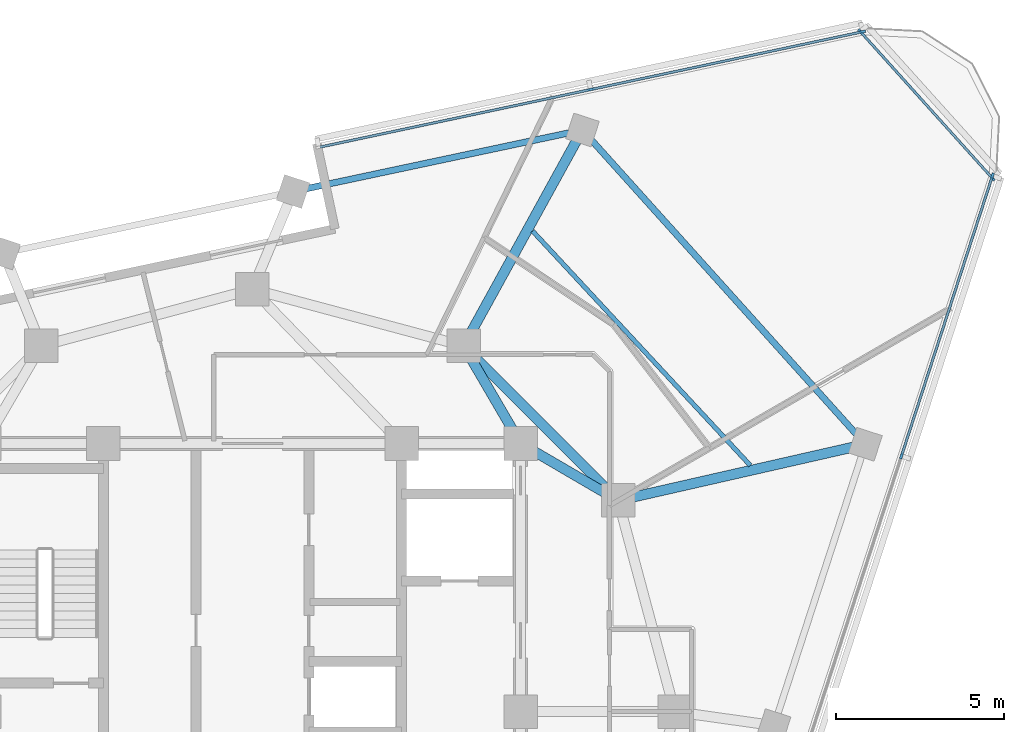
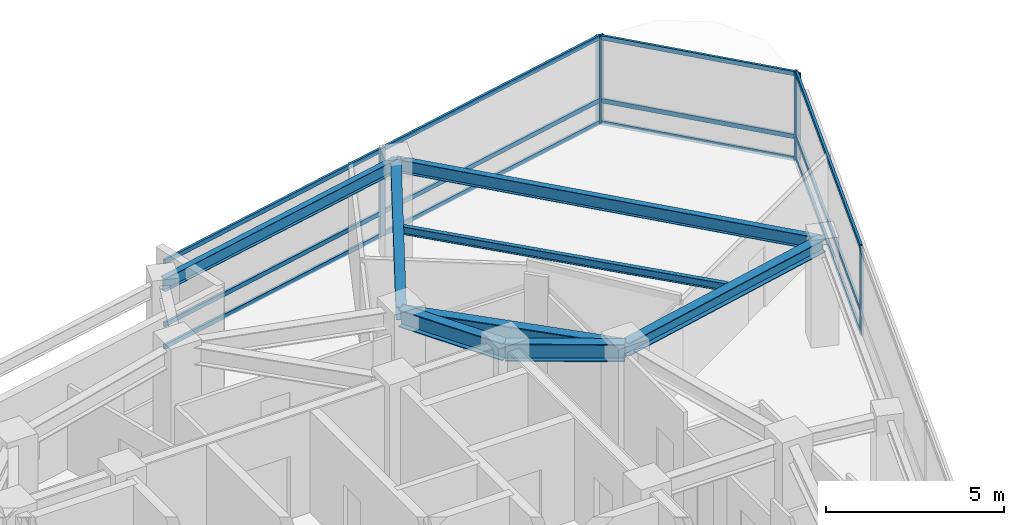
# One storey, part 6 of 15: 18 members, 8 beams, 3 elements without a shape of their own.
"""IFC4 building model written with IfcOpenShell, lengths in metres."""

from ifc_helpers import new_model, si_unit, direction, frame, origin, origin_2d, place, context, subcontext, project, spatial, rectangle, i_section, extrude, material, layer, layer_set, material_profile, profile_set, type_object, element, aggregate, save


model = new_model("IFC4")

# Units and contexts
model_context = context("Model", 3, precision=1e-05, world=origin(), true_north=direction((0.0, 1.0)))
body_context = subcontext(model_context, "Body", "Model", "MODEL_VIEW")
ifc_project = project(units=[si_unit("LENGTHUNIT", "METRE"), si_unit("AREAUNIT", "SQUARE_METRE"), si_unit("VOLUMEUNIT", "CUBIC_METRE"), si_unit("PLANEANGLEUNIT", "RADIAN"), si_unit("MASSUNIT", "GRAM", prefix="KILO")], contexts=[model_context])

# Site, building, storey
site_placement = place(None, origin())
site = spatial("IfcSite", under=ifc_project, at=site_placement, CompositionType="ELEMENT")
building_placement = place(site_placement, origin())
building = spatial("IfcBuilding", under=site, at=building_placement, Name="Terralouvre Media Tower", CompositionType="ELEMENT")
storey_placement = place(building_placement, frame((0.0, 0.0, 305.39990234375)))
storey = spatial("IfcBuildingStorey", under=building, at=storey_placement, Name="L79", CompositionType="ELEMENT", Elevation=305.39990234375)

# Beam
ifc_material_1 = material(Name="Structural steel S355J2", Category="steel")
ifc_material_profile_1 = material_profile(ifc_material_1, i_section(OverallWidth=0.135009765625, OverallDepth=0.27001953125, WebThickness=0.006591796875, FlangeThickness=0.01025390625, at=origin_2d()), Name="IPE 270")
ifc_profile_set_1 = profile_set([ifc_material_profile_1], Name="Structural steel S355J2")
beam_type_1 = type_object("IfcBeamType", Name="Composite Floor Joist J-IPE270 (IPE 270)", PredefinedType="JOIST", material=ifc_profile_set_1)
beam_1_placement = place(storey_placement, frame((14.85107421875, 7.34716796875, 3.364990234375), z_axis=(-0.680613949102, 0.732642240311, 0.0), x_axis=(-0.732642240311, -0.680613949102, 0.0)))
element("IfcBeam", 1, at=beam_1_placement, inside=storey, type_object=beam_type_1, Name="L79 Framing Beam JT-L79-04", PredefinedType="JOIST", context=body_context, shape_type="SweptSolid", body=[
    extrude(i_section(OverallWidth=0.135009765625, OverallDepth=0.27001953125, WebThickness=0.006591796875, FlangeThickness=0.01025390625, at=origin_2d()), origin(), (0.0, 0.0, 1.0), 9.54443359375),
])

# Curtain wall, members
ifc_material_2 = material(Name="Low-iron laminated double glazing with solar-control coating", Category="glass")
ifc_layer_1 = layer(ifc_material_2, 0.1650390625, Name="Faceted Glass-Point Crown Curtain Wall CW-06")
ifc_layer_set_1 = layer_set([ifc_layer_1], Name="Low-iron laminated double glazing with solar-control coating")
curtain_wall_type_1 = type_object("IfcCurtainWallType", Name="Faceted Glass-Point Crown Curtain Wall CW-06", PredefinedType="NOTDEFINED", material=ifc_layer_set_1)
curtain_wall_1_placement = place(storey_placement, origin())
curtain_wall_1 = element("IfcCurtainWall", 2, at=curtain_wall_1_placement, inside=storey, type_object=curtain_wall_type_1, Name="L79 Facade Curtain Wall F0", PredefinedType="NOTDEFINED")
ifc_material_3 = material(Name="Anodised extruded aluminium 6063-T6", Category="aluminium")
ifc_material_profile_2 = material_profile(ifc_material_3, rectangle(XDim=0.074951171875, YDim=0.14990234375, at=origin_2d()), Name="ALU 75x150")
ifc_profile_set_2 = profile_set([ifc_material_profile_2], Name="Anodised extruded aluminium 6063-T6")
member_type_1 = type_object("IfcMemberType", Name="Curtain-Wall Horizontal Transom TR-150", PredefinedType="USERDEFINED", material=ifc_profile_set_2)
member_1_placement = place(storey_placement, frame((19.372314453125, 7.662109375, 0.03759765625), z_axis=(0.309004958377, 0.951060426944, 0.0), x_axis=(-0.951060426944, 0.309004958377, 0.0)))
member_1 = element("IfcMember", 3, at=member_1_placement, type_object=member_type_1, Name="CW-06 transom 5.1", ObjectType="TRANSOM", PredefinedType="USERDEFINED", context=body_context, shape_type="SweptSolid", body=[
    extrude(rectangle(XDim=0.074951171875, YDim=0.14990234375, at=origin_2d()), origin(), (0.0, 0.0, 1.0), 8.71142578125),
])
member_2_placement = place(storey_placement, frame((19.372314453125, 7.662109375, 0.800048828125), z_axis=(0.309004958377, 0.951060426944, 0.0), x_axis=(-0.951060426944, 0.309004958377, 0.0)))
member_2 = element("IfcMember", 4, at=member_2_placement, type_object=member_type_1, Name="CW-06 transom 5.2", ObjectType="TRANSOM", PredefinedType="USERDEFINED", context=body_context, shape_type="SweptSolid", body=[
    extrude(rectangle(XDim=0.074951171875, YDim=0.14990234375, at=origin_2d()), origin(), (0.0, 0.0, 1.0), 8.71142578125),
])
member_3_placement = place(storey_placement, frame((19.372314453125, 7.662109375, 2.962646484375), z_axis=(0.309004958377, 0.951060426944, 0.0), x_axis=(-0.951060426944, 0.309004958377, 0.0)))
member_3 = element("IfcMember", 5, at=member_3_placement, type_object=member_type_1, Name="CW-06 transom 5.3", ObjectType="TRANSOM", PredefinedType="USERDEFINED", context=body_context, shape_type="SweptSolid", body=[
    extrude(rectangle(XDim=0.074951171875, YDim=0.14990234375, at=origin_2d()), origin(), (0.0, 0.0, 1.0), 8.71142578125),
])

curtain_wall_2_placement = place(storey_placement, origin())
curtain_wall_2 = element("IfcCurtainWall", 6, at=curtain_wall_2_placement, inside=storey, type_object=curtain_wall_type_1, Name="L79 Left Flank Curtain Wall F1", PredefinedType="NOTDEFINED")
member_4_placement = place(storey_placement, frame((18.166259765625, 20.2763671875, 0.03759765625), z_axis=(-0.978147598799, -0.207911699918, 0.0), x_axis=(0.207911699918, -0.978147598799, 0.0)))
member_4 = element("IfcMember", 7, at=member_4_placement, type_object=member_type_1, Name="CW-06 transom 1.1", ObjectType="TRANSOM", PredefinedType="USERDEFINED", context=body_context, shape_type="SweptSolid", body=[
    extrude(rectangle(XDim=0.074951171875, YDim=0.14990234375, at=origin_2d()), origin(), (0.0, 0.0, 1.0), 8.217529296875),
])
member_5_placement = place(storey_placement, frame((18.166259765625, 20.2763671875, 0.800048828125), z_axis=(-0.978147598799, -0.207911699918, 0.0), x_axis=(0.207911699918, -0.978147598799, 0.0)))
member_5 = element("IfcMember", 8, at=member_5_placement, type_object=member_type_1, Name="CW-06 transom 1.2", ObjectType="TRANSOM", PredefinedType="USERDEFINED", context=body_context, shape_type="SweptSolid", body=[
    extrude(rectangle(XDim=0.074951171875, YDim=0.14990234375, at=origin_2d()), origin(), (0.0, 0.0, 1.0), 8.217529296875),
])
member_6_placement = place(storey_placement, frame((18.166259765625, 20.2763671875, 2.962646484375), z_axis=(-0.978147598799, -0.207911699918, 0.0), x_axis=(0.207911699918, -0.978147598799, 0.0)))
member_6 = element("IfcMember", 9, at=member_6_placement, type_object=member_type_1, Name="CW-06 transom 1.3", ObjectType="TRANSOM", PredefinedType="USERDEFINED", context=body_context, shape_type="SweptSolid", body=[
    extrude(rectangle(XDim=0.074951171875, YDim=0.14990234375, at=origin_2d()), origin(), (0.0, 0.0, 1.0), 8.217529296875),
])
member_7_placement = place(storey_placement, frame((10.054931640625, 18.55224609375, 0.03759765625), z_axis=(-0.978147598799, -0.207911699918, 0.0), x_axis=(0.207911699918, -0.978147598799, 0.0)))
member_7 = element("IfcMember", 10, at=member_7_placement, type_object=member_type_1, Name="CW-06 transom 2.1", ObjectType="TRANSOM", PredefinedType="USERDEFINED", context=body_context, shape_type="SweptSolid", body=[
    extrude(rectangle(XDim=0.074951171875, YDim=0.14990234375, at=origin_2d()), origin(), (0.0, 0.0, 1.0), 8.217529296875),
])
member_8_placement = place(storey_placement, frame((10.054931640625, 18.55224609375, 0.800048828125), z_axis=(-0.978147598799, -0.207911699918, 0.0), x_axis=(0.207911699918, -0.978147598799, 0.0)))
member_8 = element("IfcMember", 11, at=member_8_placement, type_object=member_type_1, Name="CW-06 transom 2.2", ObjectType="TRANSOM", PredefinedType="USERDEFINED", context=body_context, shape_type="SweptSolid", body=[
    extrude(rectangle(XDim=0.074951171875, YDim=0.14990234375, at=origin_2d()), origin(), (0.0, 0.0, 1.0), 8.217529296875),
])
member_9_placement = place(storey_placement, frame((10.054931640625, 18.55224609375, 2.962646484375), z_axis=(-0.978147598799, -0.207911699918, 0.0), x_axis=(0.207911699918, -0.978147598799, 0.0)))
member_9 = element("IfcMember", 12, at=member_9_placement, type_object=member_type_1, Name="CW-06 transom 2.3", ObjectType="TRANSOM", PredefinedType="USERDEFINED", context=body_context, shape_type="SweptSolid", body=[
    extrude(rectangle(XDim=0.074951171875, YDim=0.14990234375, at=origin_2d()), origin(), (0.0, 0.0, 1.0), 8.217529296875),
])

ifc_material_4 = material(Name="Low-iron laminated double glazing with solar-control coating", Category="glass")
ifc_layer_2 = layer(ifc_material_4, 0.1650390625, Name="Rounded Wind-Corner Curved Glazing CW-04")
ifc_layer_set_2 = layer_set([ifc_layer_2], Name="Low-iron laminated double glazing with solar-control coating")
curtain_wall_type_2 = type_object("IfcCurtainWallType", Name="Rounded Wind-Corner Curved Glazing CW-04", PredefinedType="NOTDEFINED", material=ifc_layer_set_2)
curtain_wall_3_placement = place(storey_placement, origin())
curtain_wall_3 = element("IfcCurtainWall", 13, at=curtain_wall_3_placement, inside=storey, type_object=curtain_wall_type_2, Name="L79 Rounded Wind-Corner Curtain Wall C1", PredefinedType="NOTDEFINED")
member_10_placement = place(storey_placement, frame((22.04736328125, 15.943603515625, 0.03759765625), z_axis=(-0.669127275147, 0.743147824901, 0.0), x_axis=(-0.743147824901, -0.669127275147, 0.0)))
member_10 = element("IfcMember", 14, at=member_10_placement, type_object=member_type_1, Name="CW-04 transom 1.1", ObjectType="TRANSOM", PredefinedType="USERDEFINED", context=body_context, shape_type="SweptSolid", body=[
    extrude(rectangle(XDim=0.074951171875, YDim=0.14990234375, at=origin_2d()), origin(), (0.0, 0.0, 1.0), 5.808349609375),
])
member_11_placement = place(storey_placement, frame((22.04736328125, 15.943603515625, 0.800048828125), z_axis=(-0.669127275147, 0.743147824901, 0.0), x_axis=(-0.743147824901, -0.669127275147, 0.0)))
member_11 = element("IfcMember", 15, at=member_11_placement, type_object=member_type_1, Name="CW-04 transom 1.2", ObjectType="TRANSOM", PredefinedType="USERDEFINED", context=body_context, shape_type="SweptSolid", body=[
    extrude(rectangle(XDim=0.074951171875, YDim=0.14990234375, at=origin_2d()), origin(), (0.0, 0.0, 1.0), 5.808349609375),
])
member_12_placement = place(storey_placement, frame((22.04736328125, 15.943603515625, 2.962646484375), z_axis=(-0.669127275147, 0.743147824901, 0.0), x_axis=(-0.743147824901, -0.669127275147, 0.0)))
member_12 = element("IfcMember", 16, at=member_12_placement, type_object=member_type_1, Name="CW-04 transom 1.3", ObjectType="TRANSOM", PredefinedType="USERDEFINED", context=body_context, shape_type="SweptSolid", body=[
    extrude(rectangle(XDim=0.074951171875, YDim=0.14990234375, at=origin_2d()), origin(), (0.0, 0.0, 1.0), 5.808349609375),
])

# Member
ifc_material_5 = material(Name="Anodised extruded aluminium 6063-T6", Category="aluminium")
ifc_material_profile_3 = material_profile(ifc_material_5, rectangle(XDim=0.074951171875, YDim=0.179931640625, at=origin_2d()), Name="ALU 75x180")
ifc_profile_set_3 = profile_set([ifc_material_profile_3], Name="Anodised extruded aluminium 6063-T6")
member_type_2 = type_object("IfcMemberType", Name="Curtain-Wall Vertical Mullion ML-180", PredefinedType="MULLION", material=ifc_profile_set_3)
member_13_placement = place(storey_placement, frame((19.360595703125, 7.62646484375, 0.0), z_axis=(0.0, 0.0, 1.0), x_axis=(-0.951056507337, 0.309017021946, 0.0)))
member_13 = element("IfcMember", 17, at=member_13_placement, type_object=member_type_2, Name="CW-06 mullion 5", PredefinedType="MULLION", context=body_context, shape_type="SweptSolid", body=[
    extrude(rectangle(XDim=0.074951171875, YDim=0.179931640625, at=origin_2d()), origin(), (0.0, 0.0, 1.0), 3.0),
])

member_14_placement = place(storey_placement, frame((22.075927734375, 15.98291015625, 0.0), z_axis=(0.0, 0.0, 1.0), x_axis=(-0.951056507337, 0.309017021946, 0.0)))
member_14 = element("IfcMember", 18, at=member_14_placement, type_object=member_type_2, Name="CW-06 mullion 6", PredefinedType="MULLION", context=body_context, shape_type="SweptSolid", body=[
    extrude(rectangle(XDim=0.074951171875, YDim=0.179931640625, at=origin_2d()), origin(), (0.0, 0.0, 1.0), 3.0),
])

aggregate(curtain_wall_1, [member_13, member_14, member_1, member_2, member_3])

member_15_placement = place(storey_placement, frame((18.202880859375, 20.2841796875, 0.0), z_axis=(0.0, 0.0, 1.0), x_axis=(0.207911749648, -0.978147588229, 0.0)))
member_15 = element("IfcMember", 19, at=member_15_placement, type_object=member_type_2, Name="CW-06 mullion 1", PredefinedType="MULLION", context=body_context, shape_type="SweptSolid", body=[
    extrude(rectangle(XDim=0.074951171875, YDim=0.179931640625, at=origin_2d()), origin(), (0.0, 0.0, 1.0), 3.0),
])

member_16_placement = place(storey_placement, frame((10.091552734375, 18.56005859375, 0.0), z_axis=(0.0, 0.0, 1.0), x_axis=(0.207911749648, -0.978147588229, 0.0)))
member_16 = element("IfcMember", 20, at=member_16_placement, type_object=member_type_2, Name="CW-06 mullion 2", PredefinedType="MULLION", context=body_context, shape_type="SweptSolid", body=[
    extrude(rectangle(XDim=0.074951171875, YDim=0.179931640625, at=origin_2d()), origin(), (0.0, 0.0, 1.0), 3.0),
])

aggregate(curtain_wall_2, [member_15, member_16, member_4, member_5, member_6, member_7, member_8, member_9])

member_17_placement = place(storey_placement, frame((22.072509765625, 15.915771484375, 0.0), z_axis=(0.0, 0.0, 1.0), x_axis=(-0.743145163279, -0.669130231192, 0.0)))
member_17 = element("IfcMember", 21, at=member_17_placement, type_object=member_type_2, Name="CW-04 mullion 1", PredefinedType="MULLION", context=body_context, shape_type="SweptSolid", body=[
    extrude(rectangle(XDim=0.074951171875, YDim=0.179931640625, at=origin_2d()), origin(), (0.0, 0.0, 1.0), 3.0),
])

member_18_placement = place(storey_placement, frame((18.1357421875, 20.287841796875, 0.0), z_axis=(0.0, 0.0, 1.0), x_axis=(-0.743145163279, -0.669130231192, 0.0)))
member_18 = element("IfcMember", 22, at=member_18_placement, type_object=member_type_2, Name="CW-04 mullion 2", PredefinedType="MULLION", context=body_context, shape_type="SweptSolid", body=[
    extrude(rectangle(XDim=0.074951171875, YDim=0.179931640625, at=origin_2d()), origin(), (0.0, 0.0, 1.0), 3.0),
])

aggregate(curtain_wall_3, [member_17, member_18, member_10, member_11, member_12])

# Beams
ifc_material_6 = material(Name="Structural steel S355J2", Category="steel")
ifc_material_profile_4 = material_profile(ifc_material_6, i_section(OverallWidth=0.18994140625, OverallDepth=0.449951171875, WebThickness=0.009521484375, FlangeThickness=0.0146484375, at=origin_2d()), Name="IPE 450")
ifc_profile_set_4 = profile_set([ifc_material_profile_4], Name="Structural steel S355J2")
beam_type_2 = type_object("IfcBeamType", Name="Perimeter Spandrel Beam SPB-450 (IPE 450)", PredefinedType="SPANDREL", material=ifc_profile_set_4)
beam_2_placement = place(storey_placement, frame((18.285888671875, 7.975830078125, 3.275146484375), z_axis=(-0.669130421256, 0.743144992144, 0.0), x_axis=(-0.743144992144, -0.669130421256, 0.0)))
element("IfcBeam", 23, at=beam_2_placement, inside=storey, type_object=beam_type_2, Name="L79 Framing Beam BM-L79-PR08", PredefinedType="SPANDREL", context=body_context, shape_type="SweptSolid", body=[
    extrude(i_section(OverallWidth=0.18994140625, OverallDepth=0.449951171875, WebThickness=0.009521484375, FlangeThickness=0.0146484375, at=origin_2d()), origin(), (0.0, 0.0, 1.0), 12.616943359375),
])
beam_3_placement = place(storey_placement, frame((9.843505859375, 17.35205078125, 3.275146484375), z_axis=(-0.978151678083, -0.207892507471, 0.0), x_axis=(0.207892507471, -0.978151678083, 0.0)))
element("IfcBeam", 24, at=beam_3_placement, inside=storey, type_object=beam_type_2, Name="L79 Framing Beam BM-L79-PR09", PredefinedType="SPANDREL", context=body_context, shape_type="SweptSolid", body=[
    extrude(i_section(OverallWidth=0.18994140625, OverallDepth=0.449951171875, WebThickness=0.009521484375, FlangeThickness=0.0146484375, at=origin_2d()), origin(), (0.0, 0.0, 1.0), 8.82421875),
])
ifc_material_7 = material(Name="Structural steel S355J2", Category="steel")
ifc_material_profile_5 = material_profile(ifc_material_7, i_section(OverallWidth=0.300048828125, OverallDepth=0.449951171875, WebThickness=0.013916015625, FlangeThickness=0.02587890625, at=origin_2d()), Name="HEB 450")
ifc_profile_set_5 = profile_set([ifc_material_profile_5], Name="Structural steel S355J2")
beam_type_3 = type_object("IfcBeamType", Name="Primary Floor Girder B-HEB450 (HEB 450)", PredefinedType="BEAM", material=ifc_profile_set_5)
beam_4_placement = place(storey_placement, frame((10.911865234375, 6.300048828125, 3.275146484375), z_axis=(0.975136661347, 0.221604358479, 0.0), x_axis=(-0.221604358479, 0.975136661347, 0.0)))
element("IfcBeam", 25, at=beam_4_placement, inside=storey, type_object=beam_type_3, Name="L79 Framing Beam BM-L79-RD08", PredefinedType="BEAM", context=body_context, shape_type="SweptSolid", body=[
    extrude(i_section(OverallWidth=0.300048828125, OverallDepth=0.449951171875, WebThickness=0.013916015625, FlangeThickness=0.02587890625, at=origin_2d()), origin(), (0.0, 0.0, 1.0), 7.56201171875),
])
beam_5_placement = place(storey_placement, frame((6.300048828125, 10.911865234375, 3.275146484375), z_axis=(0.482060267282, 0.876138059159, 0.0), x_axis=(-0.876138059159, 0.482060267282, 0.0)))
element("IfcBeam", 26, at=beam_5_placement, inside=storey, type_object=beam_type_3, Name="L79 Framing Beam BM-L79-RD09", PredefinedType="BEAM", context=body_context, shape_type="SweptSolid", body=[
    extrude(i_section(OverallWidth=0.300048828125, OverallDepth=0.449951171875, WebThickness=0.013916015625, FlangeThickness=0.02587890625, at=origin_2d()), origin(), (0.0, 0.0, 1.0), 7.3505859375),
])
ifc_material_8 = material(Name="Structural steel S460M", Category="steel")
ifc_material_profile_6 = material_profile(ifc_material_8, i_section(OverallWidth=0.300048828125, OverallDepth=0.60009765625, WebThickness=0.015380859375, FlangeThickness=0.030029296875, at=origin_2d()), Name="HEB 600")
ifc_profile_set_6 = profile_set([ifc_material_profile_6], Name="Structural steel S460M")
beam_type_4 = type_object("IfcBeamType", Name="Primary Floor Girder B-HEB600 (HEB 600)", PredefinedType="BEAM", material=ifc_profile_set_6)
beam_6_placement = place(storey_placement, frame((10.911865234375, 6.300048828125, 3.2001953125), z_axis=(-0.707106781187, 0.707106781187, 0.0), x_axis=(-0.707106781187, -0.707106781187, 0.0)))
element("IfcBeam", 27, at=beam_6_placement, inside=storey, type_object=beam_type_4, Name="L79 Framing Beam BM-L79-MR07", PredefinedType="BEAM", context=body_context, shape_type="SweptSolid", body=[
    extrude(i_section(OverallWidth=0.300048828125, OverallDepth=0.60009765625, WebThickness=0.015380859375, FlangeThickness=0.030029296875, at=origin_2d()), origin(), (0.0, 0.0, 1.0), 6.52197265625),
])
for number, where, z_axis, x_axis, name in (
    (28, (8.0, 8.0, 3.2001953125), (0.863602894532, -0.504172629717, 0.0), (0.504172629717, 0.863602894532, 0.0), "L79 Framing Beam BM-L79-CM07"),
    (29, (8.0, 8.0, 3.2001953125), (-0.504172629717, 0.863602894532, 0.0), (-0.863602894532, -0.504172629717, 0.0), "L79 Framing Beam BM-L79-CM08"),
):
    element("IfcBeam", number, at=place(storey_placement, frame(where, z_axis=z_axis, x_axis=x_axis)), inside=storey, type_object=beam_type_4, Name=name, PredefinedType="BEAM", context=body_context, shape_type="SweptSolid", body=[
        extrude(i_section(OverallWidth=0.300048828125, OverallDepth=0.60009765625, WebThickness=0.015380859375, FlangeThickness=0.030029296875, at=origin_2d()), origin(), (0.0, 0.0, 1.0), 3.371826171875),
    ])

save(model, "model.ifc")
